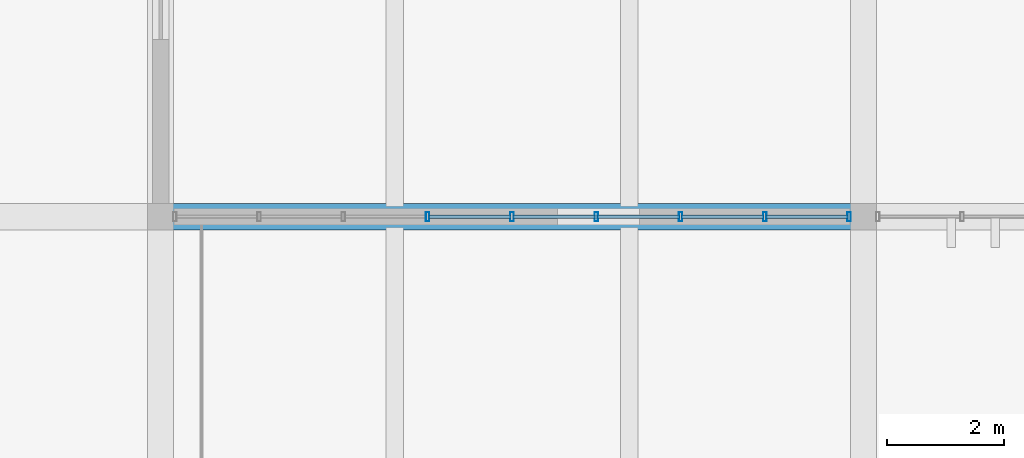
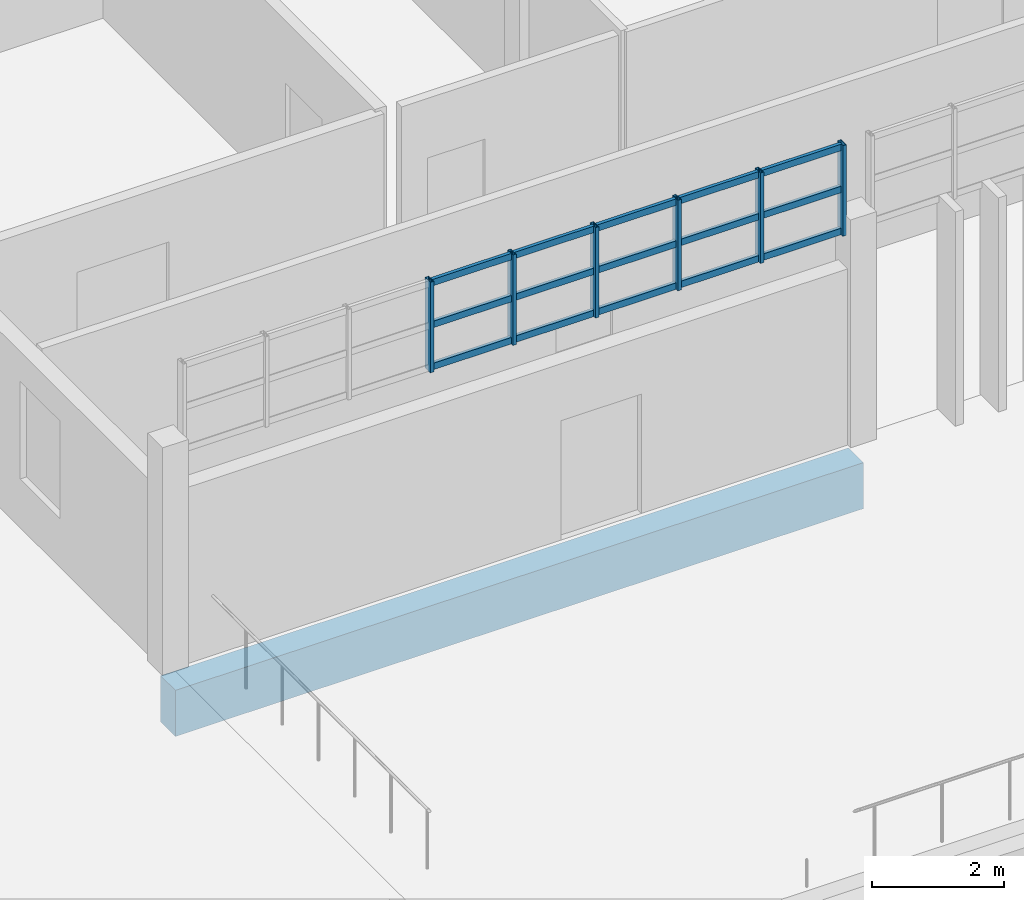
# One storey, part 6 of 36: 21 members, 1 beam, 1 element without a shape of its own.
"""IFC4 building model written with IfcOpenShell, lengths in metres."""

from ifc_helpers import new_model, si_unit, direction, frame, origin, origin_2d, place, context, subcontext, project, spatial, rectangle, hollow_rectangle, extrude, material, layer, layer_set, material_profile, profile_set, type_object, element, aggregate, save


model = new_model("IFC4")

# Units and contexts
model_context = context("Model", 3, precision=1e-05, world=origin(), true_north=direction((0.0, 1.0)))
body_context = subcontext(model_context, "Body", "Model", "MODEL_VIEW")
ifc_project = project(units=[si_unit("LENGTHUNIT", "METRE"), si_unit("AREAUNIT", "SQUARE_METRE"), si_unit("VOLUMEUNIT", "CUBIC_METRE"), si_unit("PLANEANGLEUNIT", "RADIAN"), si_unit("MASSUNIT", "GRAM", prefix="KILO")], contexts=[model_context])

# Site, building, storey
site_placement = place(None, origin())
site = spatial("IfcSite", under=ifc_project, at=site_placement, CompositionType="ELEMENT")
building_placement = place(site_placement, origin())
building = spatial("IfcBuilding", under=site, at=building_placement, Name="Mersad Railyard Sports Hall", CompositionType="ELEMENT")
storey_placement = place(building_placement, frame((0.0, 0.0, 21.60009765625)))
storey = spatial("IfcBuildingStorey", under=building, at=storey_placement, Name="L05", CompositionType="ELEMENT", Elevation=21.60009765625)

# Curtain wall, members
ifc_material_1 = material(Name="Aluminium 6063-T6", Category="aluminium")
ifc_layer = layer(ifc_material_1, 0.159912109375)
ifc_layer_set = layer_set([ifc_layer], Name="Aluminium 6063-T6")
curtain_wall_type = type_object("IfcCurtainWallType", Name="ARC-CW-CW48", PredefinedType="USERDEFINED", material=ifc_layer_set)
curtain_wall_placement = place(storey_placement, origin())
curtain_wall = element("IfcCurtainWall", 1, at=curtain_wall_placement, inside=storey, type_object=curtain_wall_type, Name="Curtain wall CW48-0128", ObjectType="CURTAIN WALL", PredefinedType="USERDEFINED")
ifc_material_profile_1 = material_profile(ifc_material_1, hollow_rectangle(XDim=0.06005859375, YDim=0.159912109375, WallThickness=0.00390625, at=origin_2d()), Name="AL MULLION 60x160x4")
ifc_profile_set_1 = profile_set([ifc_material_profile_1], Name="Aluminium 6063-T6")
member_type_1 = type_object("IfcMemberType", Name="ARC-CW-MUL01", PredefinedType="MULLION", material=ifc_profile_set_1)
member_1_placement = place(storey_placement, frame((78.7548828125, 95.0, 3.829833984375), z_axis=(0.0, 0.0, 1.0), x_axis=(1.0, 0.0, 0.0)))
member_1 = element("IfcMember", 2, at=member_1_placement, type_object=member_type_1, Name="CW48 Mullion 1", PredefinedType="MULLION", context=body_context, shape_type="SweptSolid", body=[
    extrude(hollow_rectangle(XDim=0.06005859375, YDim=0.159912109375, WallThickness=0.00390625, at=origin_2d()), origin(), (0.0, 0.0, 1.0), 1.670166015625),
])
member_2_placement = place(storey_placement, frame((77.316162109375, 95.0, 3.829833984375), z_axis=(0.0, 0.0, 1.0), x_axis=(1.0, 0.0, 0.0)))
member_2 = element("IfcMember", 3, at=member_2_placement, type_object=member_type_1, Name="CW48 Mullion 2", PredefinedType="MULLION", context=body_context, shape_type="SweptSolid", body=[
    extrude(hollow_rectangle(XDim=0.06005859375, YDim=0.159912109375, WallThickness=0.00390625, at=origin_2d()), origin(), (0.0, 0.0, 1.0), 1.670166015625),
])
member_3_placement = place(storey_placement, frame((75.87744140625, 95.0, 3.829833984375), z_axis=(0.0, 0.0, 1.0), x_axis=(1.0, 0.0, 0.0)))
member_3 = element("IfcMember", 4, at=member_3_placement, type_object=member_type_1, Name="CW48 Mullion 3", PredefinedType="MULLION", context=body_context, shape_type="SweptSolid", body=[
    extrude(hollow_rectangle(XDim=0.06005859375, YDim=0.159912109375, WallThickness=0.00390625, at=origin_2d()), origin(), (0.0, 0.0, 1.0), 1.670166015625),
])
member_4_placement = place(storey_placement, frame((74.438720703125, 95.0, 3.829833984375), z_axis=(0.0, 0.0, 1.0), x_axis=(1.0, 0.0, 0.0)))
member_4 = element("IfcMember", 5, at=member_4_placement, type_object=member_type_1, Name="CW48 Mullion 4", PredefinedType="MULLION", context=body_context, shape_type="SweptSolid", body=[
    extrude(hollow_rectangle(XDim=0.06005859375, YDim=0.159912109375, WallThickness=0.00390625, at=origin_2d()), origin(), (0.0, 0.0, 1.0), 1.670166015625),
])
member_5_placement = place(storey_placement, frame((73.0, 95.0, 3.829833984375), z_axis=(0.0, 0.0, 1.0), x_axis=(1.0, 0.0, 0.0)))
member_5 = element("IfcMember", 6, at=member_5_placement, type_object=member_type_1, Name="CW48 Mullion 5", PredefinedType="MULLION", context=body_context, shape_type="SweptSolid", body=[
    extrude(hollow_rectangle(XDim=0.06005859375, YDim=0.159912109375, WallThickness=0.00390625, at=origin_2d()), origin(), (0.0, 0.0, 1.0), 1.670166015625),
])
member_6_placement = place(storey_placement, frame((71.561279296875, 95.0, 3.829833984375), z_axis=(0.0, 0.0, 1.0), x_axis=(1.0, 0.0, 0.0)))
member_6 = element("IfcMember", 7, at=member_6_placement, type_object=member_type_1, Name="CW48 Mullion 6", PredefinedType="MULLION", context=body_context, shape_type="SweptSolid", body=[
    extrude(hollow_rectangle(XDim=0.06005859375, YDim=0.159912109375, WallThickness=0.00390625, at=origin_2d()), origin(), (0.0, 0.0, 1.0), 1.670166015625),
])
ifc_material_profile_2 = material_profile(ifc_material_1, hollow_rectangle(XDim=0.06005859375, YDim=0.1201171875, WallThickness=0.00390625, at=origin_2d()), Name="AL TRANSOM 60x120x4")
ifc_profile_set_2 = profile_set([ifc_material_profile_2], Name="Aluminium 6063-T6")
member_type_2 = type_object("IfcMemberType", Name="ARC-CW-TRN01", PredefinedType="USERDEFINED", material=ifc_profile_set_2)
member_7_placement = place(storey_placement, frame((78.735107421875, 95.0, 3.889892578125), z_axis=(-1.0, 0.0, 0.0), x_axis=(0.0, -1.0, 0.0)))
member_7 = element("IfcMember", 8, at=member_7_placement, type_object=member_type_2, Name="CW48 Transom 1-1", ObjectType="TRANSOM", PredefinedType="USERDEFINED", context=body_context, shape_type="SweptSolid", body=[
    extrude(hollow_rectangle(XDim=0.06005859375, YDim=0.1201171875, WallThickness=0.00390625, at=origin_2d()), origin(), (0.0, 0.0, 1.0), 1.39892578125),
])
member_8_placement = place(storey_placement, frame((77.296142578125, 95.0, 3.889892578125), z_axis=(-1.0, 0.0, 0.0), x_axis=(0.0, -1.0, 0.0)))
member_8 = element("IfcMember", 9, at=member_8_placement, type_object=member_type_2, Name="CW48 Transom 1-2", ObjectType="TRANSOM", PredefinedType="USERDEFINED", context=body_context, shape_type="SweptSolid", body=[
    extrude(hollow_rectangle(XDim=0.06005859375, YDim=0.1201171875, WallThickness=0.00390625, at=origin_2d()), origin(), (0.0, 0.0, 1.0), 1.398681640625),
])
member_9_placement = place(storey_placement, frame((75.857421875, 95.0, 3.889892578125), z_axis=(-1.0, 0.0, 0.0), x_axis=(0.0, -1.0, 0.0)))
member_9 = element("IfcMember", 10, at=member_9_placement, type_object=member_type_2, Name="CW48 Transom 1-3", ObjectType="TRANSOM", PredefinedType="USERDEFINED", context=body_context, shape_type="SweptSolid", body=[
    extrude(hollow_rectangle(XDim=0.06005859375, YDim=0.1201171875, WallThickness=0.00390625, at=origin_2d()), origin(), (0.0, 0.0, 1.0), 1.398681640625),
])
member_10_placement = place(storey_placement, frame((74.418701171875, 95.0, 3.889892578125), z_axis=(-1.0, 0.0, 0.0), x_axis=(0.0, -1.0, 0.0)))
member_10 = element("IfcMember", 11, at=member_10_placement, type_object=member_type_2, Name="CW48 Transom 1-4", ObjectType="TRANSOM", PredefinedType="USERDEFINED", context=body_context, shape_type="SweptSolid", body=[
    extrude(hollow_rectangle(XDim=0.06005859375, YDim=0.1201171875, WallThickness=0.00390625, at=origin_2d()), origin(), (0.0, 0.0, 1.0), 1.398681640625),
])
member_11_placement = place(storey_placement, frame((72.97998046875, 95.0, 3.889892578125), z_axis=(-1.0, 0.0, 0.0), x_axis=(0.0, -1.0, 0.0)))
member_11 = element("IfcMember", 12, at=member_11_placement, type_object=member_type_2, Name="CW48 Transom 1-5", ObjectType="TRANSOM", PredefinedType="USERDEFINED", context=body_context, shape_type="SweptSolid", body=[
    extrude(hollow_rectangle(XDim=0.06005859375, YDim=0.1201171875, WallThickness=0.00390625, at=origin_2d()), origin(), (0.0, 0.0, 1.0), 1.398681640625),
])
member_12_placement = place(storey_placement, frame((78.735107421875, 95.0, 4.664794921875), z_axis=(-1.0, 0.0, 0.0), x_axis=(0.0, -1.0, 0.0)))
member_12 = element("IfcMember", 13, at=member_12_placement, type_object=member_type_2, Name="CW48 Transom 2-1", ObjectType="TRANSOM", PredefinedType="USERDEFINED", context=body_context, shape_type="SweptSolid", body=[
    extrude(hollow_rectangle(XDim=0.06005859375, YDim=0.1201171875, WallThickness=0.00390625, at=origin_2d()), origin(), (0.0, 0.0, 1.0), 1.39892578125),
])
member_13_placement = place(storey_placement, frame((77.296142578125, 95.0, 4.664794921875), z_axis=(-1.0, 0.0, 0.0), x_axis=(0.0, -1.0, 0.0)))
member_13 = element("IfcMember", 14, at=member_13_placement, type_object=member_type_2, Name="CW48 Transom 2-2", ObjectType="TRANSOM", PredefinedType="USERDEFINED", context=body_context, shape_type="SweptSolid", body=[
    extrude(hollow_rectangle(XDim=0.06005859375, YDim=0.1201171875, WallThickness=0.00390625, at=origin_2d()), origin(), (0.0, 0.0, 1.0), 1.398681640625),
])
member_14_placement = place(storey_placement, frame((75.857421875, 95.0, 4.664794921875), z_axis=(-1.0, 0.0, 0.0), x_axis=(0.0, -1.0, 0.0)))
member_14 = element("IfcMember", 15, at=member_14_placement, type_object=member_type_2, Name="CW48 Transom 2-3", ObjectType="TRANSOM", PredefinedType="USERDEFINED", context=body_context, shape_type="SweptSolid", body=[
    extrude(hollow_rectangle(XDim=0.06005859375, YDim=0.1201171875, WallThickness=0.00390625, at=origin_2d()), origin(), (0.0, 0.0, 1.0), 1.398681640625),
])
member_15_placement = place(storey_placement, frame((74.418701171875, 95.0, 4.664794921875), z_axis=(-1.0, 0.0, 0.0), x_axis=(0.0, -1.0, 0.0)))
member_15 = element("IfcMember", 16, at=member_15_placement, type_object=member_type_2, Name="CW48 Transom 2-4", ObjectType="TRANSOM", PredefinedType="USERDEFINED", context=body_context, shape_type="SweptSolid", body=[
    extrude(hollow_rectangle(XDim=0.06005859375, YDim=0.1201171875, WallThickness=0.00390625, at=origin_2d()), origin(), (0.0, 0.0, 1.0), 1.398681640625),
])
member_16_placement = place(storey_placement, frame((72.97998046875, 95.0, 4.664794921875), z_axis=(-1.0, 0.0, 0.0), x_axis=(0.0, -1.0, 0.0)))
member_16 = element("IfcMember", 17, at=member_16_placement, type_object=member_type_2, Name="CW48 Transom 2-5", ObjectType="TRANSOM", PredefinedType="USERDEFINED", context=body_context, shape_type="SweptSolid", body=[
    extrude(hollow_rectangle(XDim=0.06005859375, YDim=0.1201171875, WallThickness=0.00390625, at=origin_2d()), origin(), (0.0, 0.0, 1.0), 1.398681640625),
])
member_17_placement = place(storey_placement, frame((78.735107421875, 95.0, 5.43994140625), z_axis=(-1.0, 0.0, 0.0), x_axis=(0.0, -1.0, 0.0)))
member_17 = element("IfcMember", 18, at=member_17_placement, type_object=member_type_2, Name="CW48 Transom 3-1", ObjectType="TRANSOM", PredefinedType="USERDEFINED", context=body_context, shape_type="SweptSolid", body=[
    extrude(hollow_rectangle(XDim=0.06005859375, YDim=0.1201171875, WallThickness=0.00390625, at=origin_2d()), origin(), (0.0, 0.0, 1.0), 1.39892578125),
])
member_18_placement = place(storey_placement, frame((77.296142578125, 95.0, 5.43994140625), z_axis=(-1.0, 0.0, 0.0), x_axis=(0.0, -1.0, 0.0)))
member_18 = element("IfcMember", 19, at=member_18_placement, type_object=member_type_2, Name="CW48 Transom 3-2", ObjectType="TRANSOM", PredefinedType="USERDEFINED", context=body_context, shape_type="SweptSolid", body=[
    extrude(hollow_rectangle(XDim=0.06005859375, YDim=0.1201171875, WallThickness=0.00390625, at=origin_2d()), origin(), (0.0, 0.0, 1.0), 1.398681640625),
])
member_19_placement = place(storey_placement, frame((75.857421875, 95.0, 5.43994140625), z_axis=(-1.0, 0.0, 0.0), x_axis=(0.0, -1.0, 0.0)))
member_19 = element("IfcMember", 20, at=member_19_placement, type_object=member_type_2, Name="CW48 Transom 3-3", ObjectType="TRANSOM", PredefinedType="USERDEFINED", context=body_context, shape_type="SweptSolid", body=[
    extrude(hollow_rectangle(XDim=0.06005859375, YDim=0.1201171875, WallThickness=0.00390625, at=origin_2d()), origin(), (0.0, 0.0, 1.0), 1.398681640625),
])
member_20_placement = place(storey_placement, frame((74.418701171875, 95.0, 5.43994140625), z_axis=(-1.0, 0.0, 0.0), x_axis=(0.0, -1.0, 0.0)))
member_20 = element("IfcMember", 21, at=member_20_placement, type_object=member_type_2, Name="CW48 Transom 3-4", ObjectType="TRANSOM", PredefinedType="USERDEFINED", context=body_context, shape_type="SweptSolid", body=[
    extrude(hollow_rectangle(XDim=0.06005859375, YDim=0.1201171875, WallThickness=0.00390625, at=origin_2d()), origin(), (0.0, 0.0, 1.0), 1.398681640625),
])
member_21_placement = place(storey_placement, frame((72.97998046875, 95.0, 5.43994140625), z_axis=(-1.0, 0.0, 0.0), x_axis=(0.0, -1.0, 0.0)))
member_21 = element("IfcMember", 22, at=member_21_placement, type_object=member_type_2, Name="CW48 Transom 3-5", ObjectType="TRANSOM", PredefinedType="USERDEFINED", context=body_context, shape_type="SweptSolid", body=[
    extrude(hollow_rectangle(XDim=0.06005859375, YDim=0.1201171875, WallThickness=0.00390625, at=origin_2d()), origin(), (0.0, 0.0, 1.0), 1.398681640625),
])
aggregate(curtain_wall, [member_1, member_2, member_3, member_4, member_5, member_6, member_7, member_8, member_9, member_10, member_11, member_12, member_13, member_14, member_15, member_16, member_17, member_18, member_19, member_20, member_21])

# Beam
ifc_material_2 = material(Name="Concrete C40/50", Category="concrete")
ifc_material_profile_3 = material_profile(ifc_material_2, rectangle(XDim=0.449951171875, YDim=0.85009765625, at=origin_2d()), Name="RC 450x850")
ifc_profile_set_3 = profile_set([ifc_material_profile_3], Name="Concrete C40/50")
beam_type = type_object("IfcBeamType", Name="STR-BM-B02", PredefinedType="BEAM", material=ifc_profile_set_3)
beam_placement = place(storey_placement, frame((67.0, 95.0, -0.775146484375), z_axis=(1.0, 0.0, 0.0), x_axis=(0.0, 1.0, 0.0)))
element("IfcBeam", 23, at=beam_placement, inside=storey, type_object=beam_type, Name="Beam B02-1410", PredefinedType="BEAM", context=body_context, shape_type="SweptSolid", body=[
    extrude(rectangle(XDim=0.449951171875, YDim=0.85009765625, at=origin_2d()), origin(), (0.0, 0.0, 1.0), 12.0),
])

save(model, "model.ifc")
